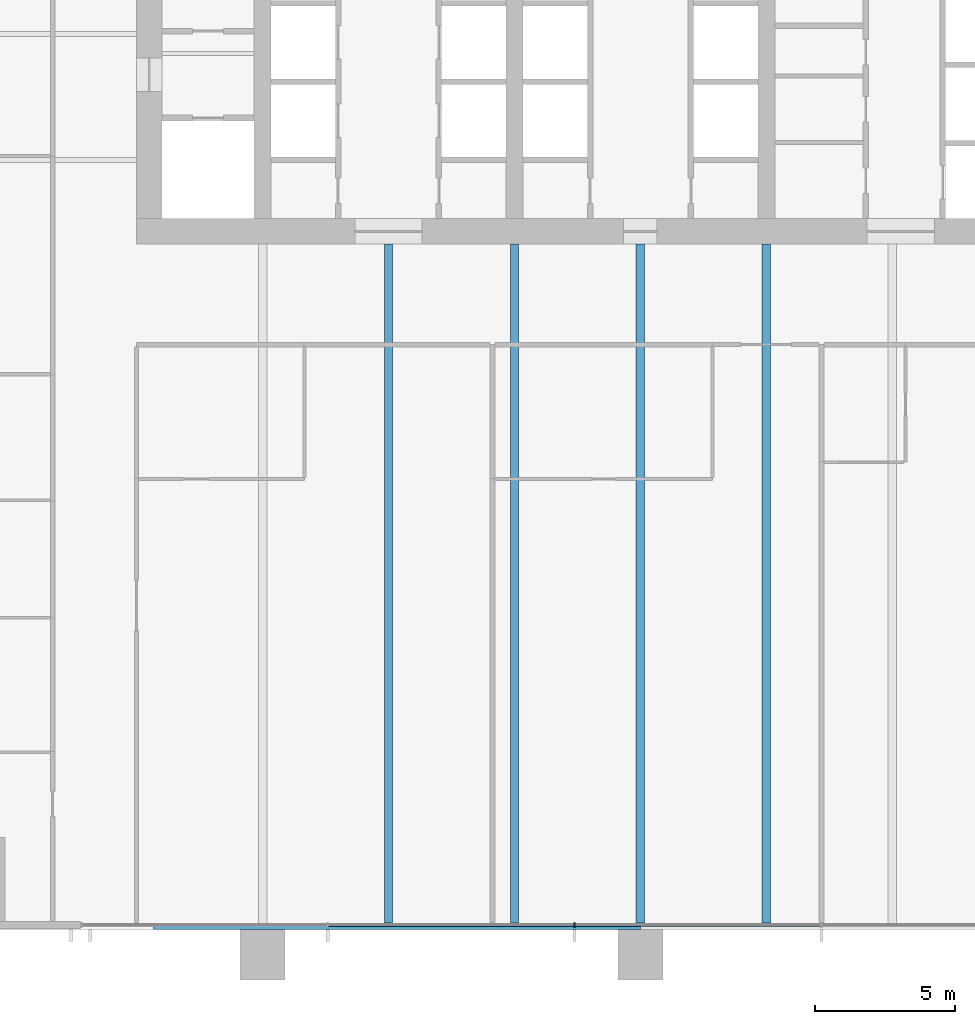
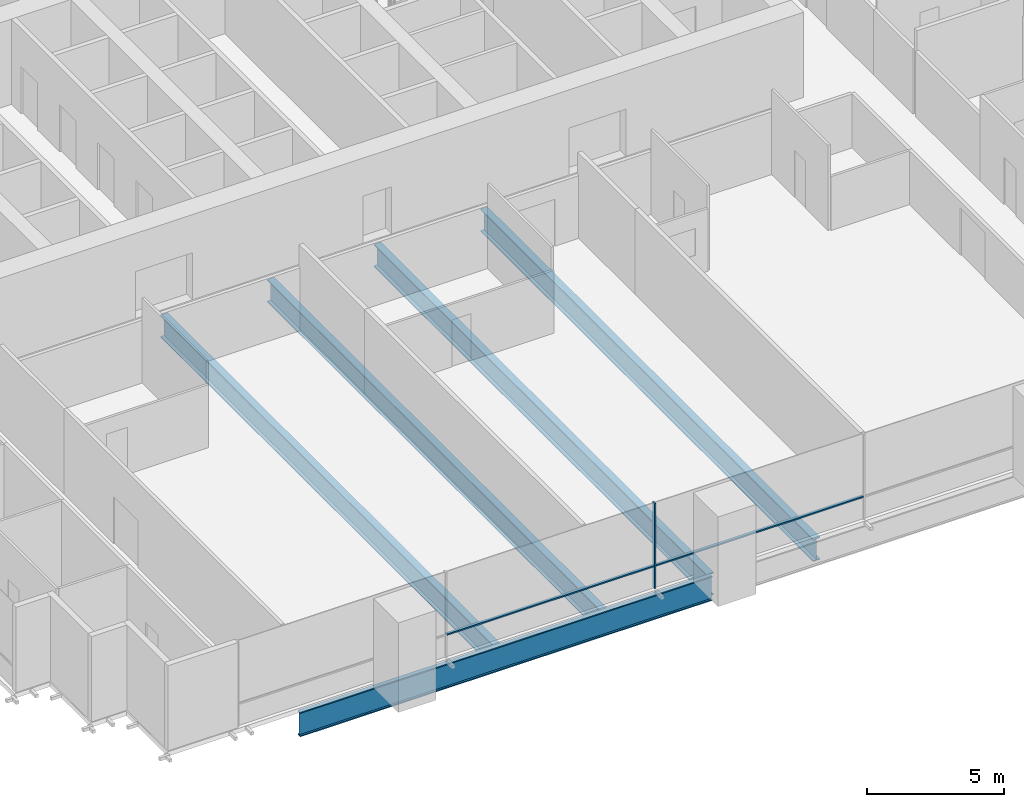
# One storey, part 3 of 17: 5 beams, 3 members, 1 element without a shape of its own.
"""IFC4 building model written with IfcOpenShell, lengths in metres."""

from ifc_helpers import new_model, si_unit, direction, frame, origin, origin_2d, place, context, subcontext, project, spatial, rectangle, i_section, extrude, material, material_profile, profile_set, type_object, element, aggregate, save


model = new_model("IFC4")

# Units and contexts
model_context = context("Model", 3, precision=1e-05, world=origin(), true_north=direction((0.0, 1.0)))
body_context = subcontext(model_context, "Body", "Model", "MODEL_VIEW")
ifc_project = project(units=[si_unit("LENGTHUNIT", "METRE"), si_unit("AREAUNIT", "SQUARE_METRE"), si_unit("VOLUMEUNIT", "CUBIC_METRE"), si_unit("PLANEANGLEUNIT", "RADIAN"), si_unit("MASSUNIT", "GRAM", prefix="KILO")], contexts=[model_context])

# Site, building, storey
site_placement = place(None, origin())
site = spatial("IfcSite", under=ifc_project, at=site_placement, CompositionType="ELEMENT")
building_placement = place(site_placement, origin())
building = spatial("IfcBuilding", under=site, at=building_placement, Name="Rattan Terrace Tower", CompositionType="ELEMENT")
storey_placement = place(building_placement, frame((0.0, 0.0, 107.699951171875)))
storey = spatial("IfcBuildingStorey", under=building, at=storey_placement, Name="L24", CompositionType="ELEMENT", Elevation=107.699951171875)

# Curtain wall, members
ifc_material_1 = material(Name="Aluminium and glass", Category="aluminium")
curtain_wall_type = type_object("IfcCurtainWallType", Name="Facade Unitised Curtain Wall", PredefinedType="NOTDEFINED", material=ifc_material_1)
curtain_wall_placement = place(storey_placement, origin())
curtain_wall = element("IfcCurtainWall", 1, at=curtain_wall_placement, inside=storey, type_object=curtain_wall_type, Name="Curtain wall L24-4", PredefinedType="NOTDEFINED")
ifc_material_2 = material(Name="Aluminium", Category="aluminium")
ifc_material_profile_1 = material_profile(ifc_material_2, rectangle(XDim=0.06005859375, YDim=0.159912109375, at=origin_2d()), Name="Aluminium 60x160")
ifc_profile_set_1 = profile_set([ifc_material_profile_1], Name="Aluminium")
member_type_1 = type_object("IfcMemberType", Name="Facade CW Mullion 60x160", PredefinedType="MULLION", material=ifc_profile_set_1)
member_1_placement = place(storey_placement, frame((-2.35400390625, -31.830078125, 0.0), z_axis=(0.0, 0.0, 1.0), x_axis=(1.0, 0.0, 0.0)))
member_1 = element("IfcMember", 2, at=member_1_placement, type_object=member_type_1, Name="Mullion cwl-L24-004.3", PredefinedType="MULLION", context=body_context, shape_type="SweptSolid", body=[
    extrude(rectangle(XDim=0.06005859375, YDim=0.159912109375, at=origin_2d()), origin(), (0.0, 0.0, 1.0), 3.800048828125),
])
ifc_material_3 = material(Name="Aluminium", Category="aluminium")
ifc_material_profile_2 = material_profile(ifc_material_3, rectangle(XDim=0.1201171875, YDim=0.06005859375, at=origin_2d()), Name="Aluminium 120x60")
ifc_profile_set_2 = profile_set([ifc_material_profile_2], Name="Aluminium")
member_type_2 = type_object("IfcMemberType", Name="Facade CW Transom 120x60", PredefinedType="USERDEFINED", material=ifc_profile_set_2)
member_2_placement = place(storey_placement, frame((-11.14697265625, -31.830078125, 1.0), z_axis=(1.0, 0.0, 0.0), x_axis=(0.0, 1.0, 0.0)))
member_2 = element("IfcMember", 3, at=member_2_placement, type_object=member_type_2, Name="Transom cwl-L24-004.2", ObjectType="TRANSOM", PredefinedType="USERDEFINED", context=body_context, shape_type="SweptSolid", body=[
    extrude(rectangle(XDim=0.1201171875, YDim=0.06005859375, at=origin_2d()), origin(), (0.0, 0.0, 1.0), 8.762939453125),
])
member_3_placement = place(storey_placement, frame((-2.323974609375, -31.830078125, 1.0), z_axis=(1.0, 0.0, 0.0), x_axis=(0.0, 1.0, 0.0)))
member_3 = element("IfcMember", 4, at=member_3_placement, type_object=member_type_2, Name="Transom cwl-L24-004.3", ObjectType="TRANSOM", PredefinedType="USERDEFINED", context=body_context, shape_type="SweptSolid", body=[
    extrude(rectangle(XDim=0.1201171875, YDim=0.06005859375, at=origin_2d()), origin(), (0.0, 0.0, 1.0), 8.762939453125),
])
aggregate(curtain_wall, [member_1, member_2, member_3])

# Beams
ifc_material_4 = material(Name="Steel S460", Category="steel")
ifc_material_profile_3 = material_profile(ifc_material_4, i_section(OverallWidth=0.179931640625, OverallDepth=1.10009765625, WebThickness=0.01611328125, FlangeThickness=0.050048828125, at=origin_2d()), Name="PG 1100x180-16-50")
ifc_profile_set_3 = profile_set([ifc_material_profile_3], Name="Steel S460")
beam_type_1 = type_object("IfcBeamType", Name="Frame edge girder PG 1100x180-16-50", PredefinedType="SPANDREL", material=ifc_profile_set_3)
beam_placement = place(storey_placement, frame((-17.39990234375, -31.909912109375, -0.75), z_axis=(1.0, 0.0, 0.0), x_axis=(0.0, 1.0, 0.0)))
element("IfcBeam", 5, at=beam_placement, inside=storey, type_object=beam_type_1, Name="gdr-L24-001", PredefinedType="SPANDREL", context=body_context, shape_type="SweptSolid", body=[
    extrude(i_section(OverallWidth=0.179931640625, OverallDepth=1.10009765625, WebThickness=0.01611328125, FlangeThickness=0.050048828125, at=origin_2d()), origin(), (0.0, 0.0, 1.0), 17.39990234375),
])
ifc_material_5 = material(Name="Steel S460", Category="steel")
ifc_material_profile_4 = material_profile(ifc_material_5, i_section(OverallWidth=0.300048828125, OverallDepth=1.0, WebThickness=0.013916015625, FlangeThickness=0.0400390625, at=origin_2d()), Name="PG 1000x300-14-40")
ifc_profile_set_4 = profile_set([ifc_material_profile_4], Name="Steel S460")
beam_type_2 = type_object("IfcBeamType", Name="Frame floor beam PG 1000x300-14-40", PredefinedType="JOIST", material=ifc_profile_set_4)
for number, where, z_axis, x_axis, name in (
    (6, (-9.0, -31.820068359375, -0.699951171875), (0.0, 1.0, 0.0), (-1.0, 0.0, 0.0), "bm-L24-004"),
    (7, (-4.5, -31.820068359375, -0.699951171875), (0.0, 1.0, 0.0), (-1.0, 0.0, 0.0), "bm-L24-005"),
    (8, (0.0, -31.820068359375, -0.699951171875), (0.0, 1.0, 0.0), (-1.0, 0.0, 0.0), "bm-L24-006"),
    (9, (4.5, -31.820068359375, -0.699951171875), (0.0, 1.0, 0.0), (-1.0, 0.0, 0.0), "bm-L24-007"),
):
    element("IfcBeam", number, at=place(storey_placement, frame(where, z_axis=z_axis, x_axis=x_axis)), inside=storey, type_object=beam_type_2, Name=name, PredefinedType="JOIST", context=body_context, shape_type="SweptSolid", body=[
        extrude(i_section(OverallWidth=0.300048828125, OverallDepth=1.0, WebThickness=0.013916015625, FlangeThickness=0.0400390625, at=origin_2d()), origin(), (0.0, 0.0, 1.0), 24.320068359375),
    ])

save(model, "model.ifc")
